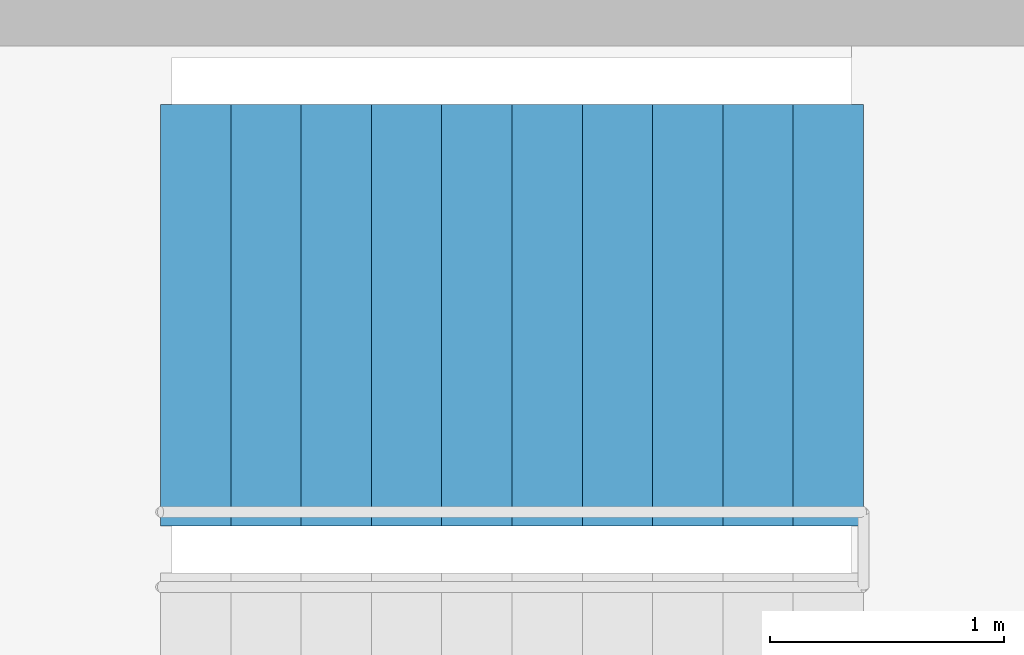
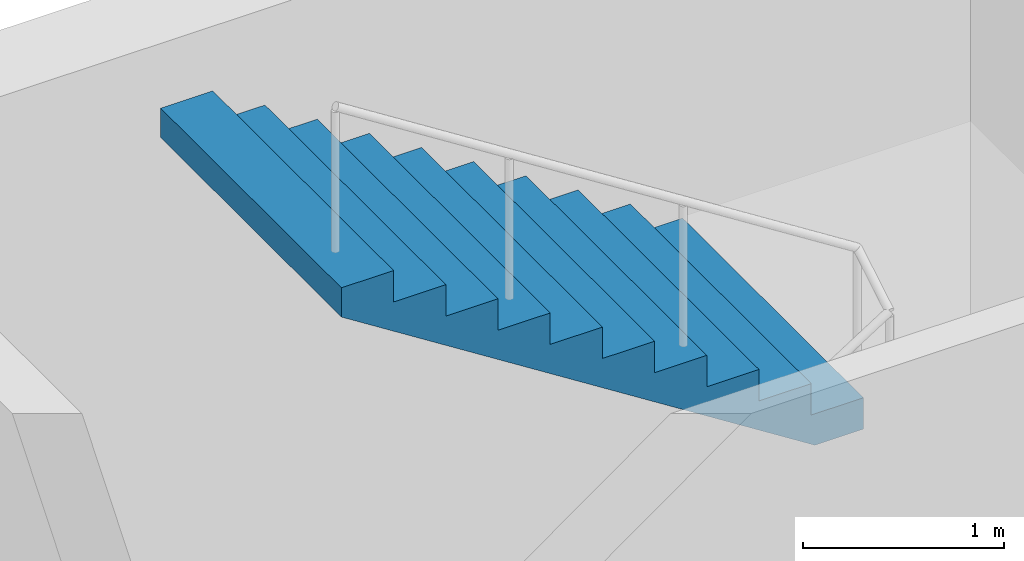
# One storey, part 13 of 16: 1 stair flight, 1 element without a shape of its own.
"""IFC4 building model written with IfcOpenShell, lengths in metres."""

from ifc_helpers import new_model, si_unit, direction, frame, origin, place, context, subcontext, project, spatial, polyline, outline, extrude, material, type_object, element, aggregate, save


model = new_model("IFC4")

# Units and contexts
model_context = context("Model", 3, precision=1e-05, world=origin(), true_north=direction((0.0, 1.0)))
body_context = subcontext(model_context, "Body", "Model", "MODEL_VIEW")
ifc_project = project(units=[si_unit("LENGTHUNIT", "METRE"), si_unit("AREAUNIT", "SQUARE_METRE"), si_unit("VOLUMEUNIT", "CUBIC_METRE"), si_unit("PLANEANGLEUNIT", "RADIAN"), si_unit("MASSUNIT", "GRAM", prefix="KILO")], contexts=[model_context])

# Site, building, storey
site_placement = place(None, origin())
site = spatial("IfcSite", under=ifc_project, at=site_placement, CompositionType="ELEMENT")
building_placement = place(site_placement, origin())
building = spatial("IfcBuilding", under=site, at=building_placement, Name="Crosswind Convention Tower", CompositionType="ELEMENT")
storey_placement = place(building_placement, frame((0.0, 0.0, 291.300048828125)))
storey = spatial("IfcBuildingStorey", under=building, at=storey_placement, Name="L63", CompositionType="ELEMENT", Elevation=291.300048828125)

# Stair, stair flight
ifc_material = material(Name="Concrete C40/50", Category="concrete")
stair_type = type_object("IfcStairType", Name="Exit stair 1800 wide, 2 flights of 11 risers", PredefinedType="HALF_TURN_STAIR", material=ifc_material)
stair_placement = place(storey_placement, origin())
stair = element("IfcStair", 1, at=stair_placement, inside=storey, type_object=stair_type, Name="Exit stair ST1 L63", ObjectType="ST5", PredefinedType="HALF_TURN_STAIR")
stair_flight_type = type_object("IfcStairFlightType", Name="Stair flight 1800 wide, 11 risers (SF4)", PredefinedType="STRAIGHT", material=ifc_material)
stair_flight_placement = place(storey_placement, frame((142.10009765625, 110.60009765625, 2.099853515625), z_axis=(0.0, 0.0, 1.0), x_axis=(-1.0, 0.0, 0.0)))
stair_flight = element("IfcStairFlight", 2, at=stair_flight_placement, type_object=stair_flight_type, Name="ST1 flight 2", NumberOfRisers=11, NumberOfTreads=10, PredefinedType="STRAIGHT", RiserHeight=0.190909091, TreadLength=0.3, context=body_context, shape_type="SweptSolid", body=[
    extrude(outline(polyline([(0.0, 0.0), (0.0, 0.19091796875), (0.300048828125, 0.19091796875), (0.300048828125, 0.3818359375), (0.60009765625, 0.3818359375), (0.60009765625, 0.57275390625), (0.89990234375, 0.57275390625), (0.89990234375, 0.763671875), (1.199951171875, 0.763671875), (1.199951171875, 0.95458984375), (1.5, 0.95458984375), (1.5, 1.1455078125), (1.800048828125, 1.1455078125), (1.800048828125, 1.33642578125), (2.10009765625, 1.33642578125), (2.10009765625, 1.52734375), (2.39990234375, 1.52734375), (2.39990234375, 1.71826171875), (2.699951171875, 1.71826171875), (2.699951171875, 1.9091796875), (3.0, 1.9091796875), (3.0, 2.10009765625), (3.0, 1.7314453125), (0.279296875, 0.0), (0.0, 0.0)])), frame((0.0, 0.89990234375, 0.0), z_axis=(0.0, -1.0, 0.0), x_axis=(1.0, 0.0, 0.0)), (0.0, 0.0, 1.0), 1.800048828125),
])
aggregate(stair, [stair_flight])

save(model, "model.ifc")
